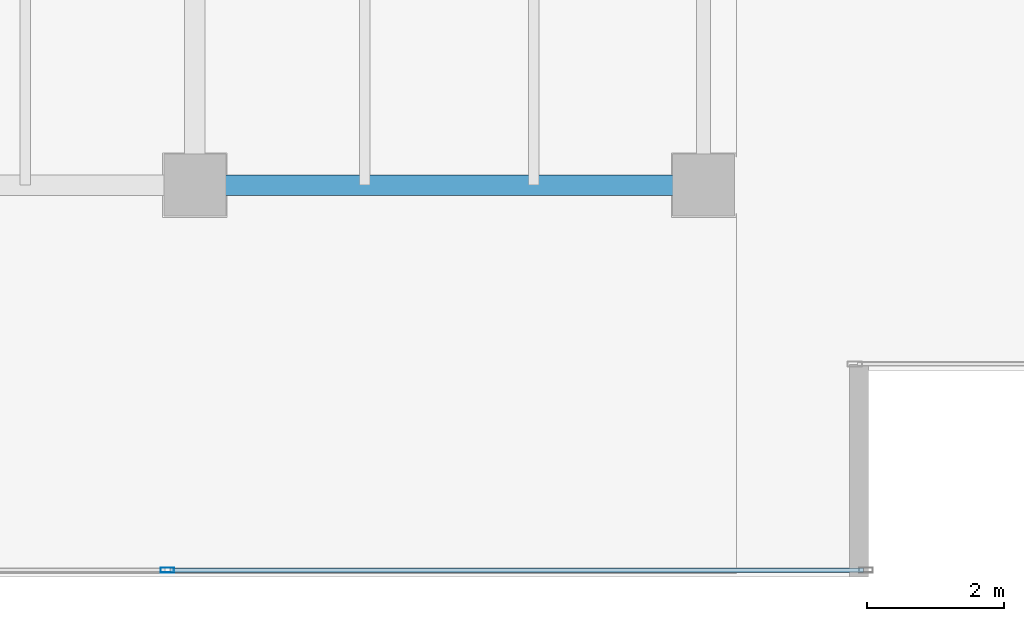
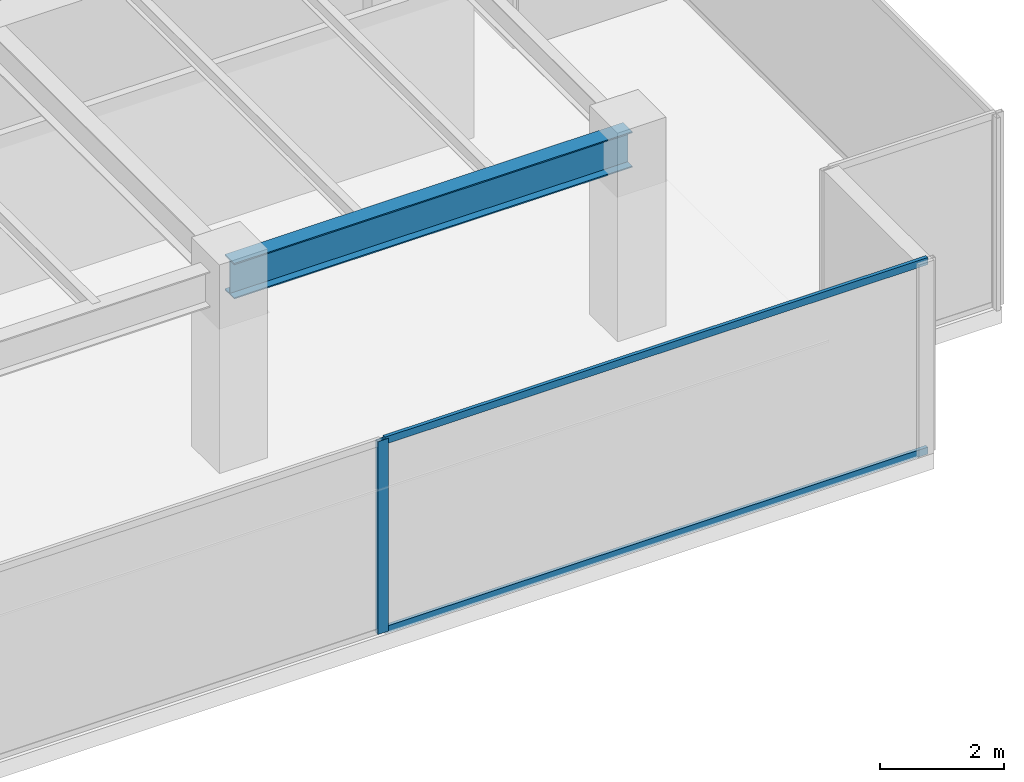
# One storey, part 12 of 33: 3 members, 1 beam, 1 element without a shape of its own.
"""IFC4 building model written with IfcOpenShell, lengths in metres."""

import ifcopenshell
import ifcopenshell.guid

model = None  # the IFC model being written
_history = None  # IfcOwnerHistory: only IFC2X3 demands one
_inside = {}  # id of a spatial element -> (the spatial element, [elements in it])
_under = {}  # id of a project, library or spatial element -> (it, [spatial elements below it])
_declared = {}  # id of a project -> (the project, [libraries it declares])
_typed = {}  # id of a type object -> (the type object, [elements of that type])
_made_of = {}  # id of a material, layer set ... -> (it, [elements and type objects made of it])


def new_model(schema):
    """Start an empty IFC model of exactly this schema.

    Asked for "IFC4X3", IfcOpenShell would pick the latest addendum, in which some entities
    have other attributes; the version numbers below select the first issue.
    IFC2X3 requires an IfcOwnerHistory on every rooted entity: one is made here for all.
    """
    global model, _history
    if schema == "IFC4X3":
        model = ifcopenshell.file(schema_version=(4, 3, 0, 0))
    else:
        model = ifcopenshell.file(schema=schema)
    _inside.clear()
    _under.clear()
    _declared.clear()
    _typed.clear()
    _made_of.clear()
    _history = None
    if model.schema == "IFC2X3":
        org = make("IfcOrganization", Name="unknown")
        user = make(
            "IfcPersonAndOrganization",
            ThePerson=make("IfcPerson", FamilyName="unknown"),
            TheOrganization=org,
        )
        app = make(
            "IfcApplication",
            ApplicationDeveloper=org,
            Version="unknown",
            ApplicationFullName="unknown",
            ApplicationIdentifier="unknown",
        )
        _history = make(
            "IfcOwnerHistory",
            OwningUser=user,
            OwningApplication=app,
            ChangeAction="ADDED",
            CreationDate=0,
        )
    return model


def make(cls, **values):
    """One entity of the class cls with the attributes given. An attribute that is None is left unset."""
    return model.create_entity(
        cls, **{name: value for name, value in values.items() if value is not None}
    )


def rooted(cls, **values):
    """An entity with a GlobalId (a new one), such as an element, a storey or a relation."""
    return make(cls, GlobalId=ifcopenshell.guid.new(), OwnerHistory=_history, **values)


def si_unit(unit_type, name, prefix=None):
    """IfcSIUnit, for example si_unit("LENGTHUNIT", "METRE", prefix="MILLI")."""
    return make("IfcSIUnit", UnitType=unit_type, Prefix=prefix, Name=name)


def assignment(units):
    """IfcUnitAssignment: the units of a project."""
    return None if units is None else make("IfcUnitAssignment", Units=units)


def point(xyz):
    """IfcCartesianPoint."""
    return None if xyz is None else make("IfcCartesianPoint", Coordinates=xyz)


def direction(xyz):
    """IfcDirection."""
    return None if xyz is None else make("IfcDirection", DirectionRatios=xyz)


def frame(location, z_axis=None, x_axis=None):
    """IfcAxis2Placement3D, a coordinate frame: its origin and axes. An axis left out is left unset."""
    return make(
        "IfcAxis2Placement3D",
        Location=point(location),
        Axis=direction(z_axis),
        RefDirection=direction(x_axis),
    )


def frame_2d(location, x_axis=None):
    """IfcAxis2Placement2D, a coordinate frame in the plane: its origin and x axis."""
    return make(
        "IfcAxis2Placement2D", Location=point(location), RefDirection=direction(x_axis)
    )


def origin():
    """The frame at (0, 0, 0) with its axes left unset."""
    return frame((0.0, 0.0, 0.0))


def origin_2d():
    """The frame at (0, 0) in the plane with its x axis left unset."""
    return frame_2d((0.0, 0.0))


def place(relative_to, where):
    """IfcLocalPlacement: puts the frame where relative to a parent placement (None: the world)."""
    return make(
        "IfcLocalPlacement", PlacementRelTo=relative_to, RelativePlacement=where
    )


def context(
    kind, dimensions, precision=None, world=None, true_north=None, identifier=None
):
    """IfcGeometricRepresentationContext, for example the 3D "Model" context."""
    return make(
        "IfcGeometricRepresentationContext",
        ContextIdentifier=identifier,
        ContextType=kind,
        CoordinateSpaceDimension=dimensions,
        Precision=precision,
        WorldCoordinateSystem=world,
        TrueNorth=true_north,
    )


def subcontext(parent, identifier, kind, view, scale=None):
    """IfcGeometricRepresentationSubContext, for example "Body" below "Model"."""
    return make(
        "IfcGeometricRepresentationSubContext",
        ContextIdentifier=identifier,
        ContextType=kind,
        ParentContext=parent,
        TargetScale=scale,
        TargetView=view,
    )


def project(units=None, contexts=None):
    """IfcProject with its units and contexts."""
    return rooted(
        "IfcProject",
        Name="project",
        RepresentationContexts=contexts,
        UnitsInContext=assignment(units),
    )


def spatial(cls, under=None, at=None, **own):
    """A site, building, storey or space (cls), placed at a placement, below another one or the project."""
    s = rooted(cls, ObjectPlacement=at, **own)
    if under is not None:
        _under.setdefault(under.id(), (under, []))[1].append(s)
    return s


def profile(cls, at=None, kind="AREA", **sizes):
    """A parametric profile (cls). Its sizes go by their IFC names, for example OverallWidth=200.0."""
    return make(cls, ProfileType=kind, Position=at, **sizes)


def hollow_rectangle(**sizes):
    """IfcRectangleHollowProfileDef."""
    return profile("IfcRectangleHollowProfileDef", **sizes)


def i_section(**sizes):
    """IfcIShapeProfileDef."""
    return profile("IfcIShapeProfileDef", **sizes)


def extrude(swept, where, along, depth):
    """IfcExtrudedAreaSolid: the profile swept, set in the frame where, extruded along a direction by depth."""
    return make(
        "IfcExtrudedAreaSolid",
        SweptArea=swept,
        Position=where,
        ExtrudedDirection=direction(along),
        Depth=depth,
    )


def shape(context_of_items, identifier, shape_type, items):
    """IfcShapeRepresentation: the items that make up one representation, for example the "Body"."""
    return make(
        "IfcShapeRepresentation",
        ContextOfItems=context_of_items,
        RepresentationIdentifier=identifier,
        RepresentationType=shape_type,
        Items=items,
    )


def source(mapping_origin, context_of_items, identifier, shape_type, items):
    """IfcRepresentationMap: a shape defined once, which mapped items show again and again."""
    return make(
        "IfcRepresentationMap",
        MappingOrigin=mapping_origin,
        MappedRepresentation=shape(context_of_items, identifier, shape_type, items),
    )


def transform(
    local_origin,
    x_axis=None,
    y_axis=None,
    z_axis=None,
    scale=None,
    scale2=None,
    scale3=None,
    uniform=True,
):
    """IfcCartesianTransformationOperator3D, or its non-uniform kind. x_axis, y_axis, z_axis: its Axis1, 2, 3."""
    if uniform:
        return make(
            "IfcCartesianTransformationOperator3D",
            Axis1=direction(x_axis),
            Axis2=direction(y_axis),
            LocalOrigin=point(local_origin),
            Scale=scale,
            Axis3=direction(z_axis),
        )
    return make(
        "IfcCartesianTransformationOperator3DnonUniform",
        Axis1=direction(x_axis),
        Axis2=direction(y_axis),
        LocalOrigin=point(local_origin),
        Scale=scale,
        Axis3=direction(z_axis),
        Scale2=scale2,
        Scale3=scale3,
    )


def mapped(mapping_source, mapping_target):
    """IfcMappedItem: shows the shape of a source again, moved by a transform."""
    return make(
        "IfcMappedItem", MappingSource=mapping_source, MappingTarget=mapping_target
    )


def material(Name=None, Category=None):
    """IfcMaterial."""
    return make("IfcMaterial", Name=Name, Category=Category)


def layer(
    of_material, thickness, ventilated=None, Name=None, Category=None, Priority=None
):
    """IfcMaterialLayer: one layer of a wall or slab, of a material (None: an air gap)."""
    return make(
        "IfcMaterialLayer",
        Material=of_material,
        LayerThickness=thickness,
        IsVentilated=ventilated,
        Name=Name,
        Category=Category,
        Priority=Priority,
    )


def layer_set(layers, Name=None):
    """IfcMaterialLayerSet."""
    return make("IfcMaterialLayerSet", MaterialLayers=layers, LayerSetName=Name)


def material_profile(
    of_material, cross_section, Name=None, Category=None, Priority=None
):
    """IfcMaterialProfile: a cross section and its material."""
    return make(
        "IfcMaterialProfile",
        Name=Name,
        Material=of_material,
        Profile=cross_section,
        Priority=Priority,
        Category=Category,
    )


def profile_set(profiles, Name=None, composite=None):
    """IfcMaterialProfileSet."""
    return make(
        "IfcMaterialProfileSet",
        Name=Name,
        MaterialProfiles=profiles,
        CompositeProfile=composite,
    )


def made_of(thing, what):
    """Note that an element or type object is made of a material, layer set ...; save() writes the relation."""
    if what is not None:
        _made_of.setdefault(what.id(), (what, []))[1].append(thing)
    return thing


def type_object(cls, material=None, **own):
    """A type object (cls), such as IfcWallType, which elements share."""
    return made_of(rooted(cls, **own), material)


def type_shapes(of_type, sources):
    """Give a type object the sources (RepresentationMaps) that its elements show as mapped items."""
    of_type.RepresentationMaps = sources


def element(
    cls,
    number,
    at=None,
    inside=None,
    cuts=None,
    type_object=None,
    material=None,
    context=None,
    identifier="Body",
    shape_type=None,
    held_by="IfcProductDefinitionShape",
    body=None,
    shapes=None,
    **own,
):
    """One element of the class cls, such as IfcWall. Its Tag is "e" and its number.

    at: its placement. inside: the storey or other place that contains it. cuts: it is an
    opening in that element (IfcRelVoidsElement). A single representation is given by context,
    identifier, shape_type and body (its items); several are given by shapes. held_by: the class
    of the entity that holds the representations. save() writes the other relations.
    """
    e = rooted(cls, Tag="e%d" % number, ObjectPlacement=at, **own)
    if body is not None:
        shapes = [shape(context, identifier, shape_type, body)]
    if shapes is not None:
        e.Representation = make(held_by, Representations=shapes)
    if inside is not None:
        _inside.setdefault(inside.id(), (inside, []))[1].append(e)
    if cuts is not None:
        rooted(
            "IfcRelVoidsElement", RelatingBuildingElement=cuts, RelatedOpeningElement=e
        )
    if type_object is not None:
        _typed.setdefault(type_object.id(), (type_object, []))[1].append(e)
    return made_of(e, material)


def aggregate(whole, parts):
    """IfcRelAggregates: a whole, such as a stair, and the parts it consists of."""
    return rooted("IfcRelAggregates", RelatingObject=whole, RelatedObjects=parts)


def save(model, path):
    """Write the relations noted so far, then the file.

    IfcRelAggregates (storeys below a building ...), IfcRelContainedInSpatialStructure (elements
    in a storey), IfcRelDefinesByType, IfcRelAssociatesMaterial and IfcRelDeclares: one each for
    every whole, place, type object, material and project.
    """
    for whole, parts in _under.values():
        aggregate(whole, parts)
    for where, things in _inside.values():
        rooted(
            "IfcRelContainedInSpatialStructure",
            RelatedElements=things,
            RelatingStructure=where,
        )
    for kind, things in _typed.values():
        rooted("IfcRelDefinesByType", RelatedObjects=things, RelatingType=kind)
    for what, things in _made_of.values():
        rooted("IfcRelAssociatesMaterial", RelatedObjects=things, RelatingMaterial=what)
    for by, libraries in _declared.values():
        rooted("IfcRelDeclares", RelatingContext=by, RelatedDefinitions=libraries)
    model.write(path)


model = new_model("IFC4")

# Units and contexts
model_context = context("Model", 3, precision=1e-05, world=origin(), true_north=direction((0.0, 1.0)))
body_context = subcontext(model_context, "Body", "Model", "MODEL_VIEW")
ifc_project = project(units=[si_unit("LENGTHUNIT", "METRE"), si_unit("AREAUNIT", "SQUARE_METRE"), si_unit("VOLUMEUNIT", "CUBIC_METRE"), si_unit("PLANEANGLEUNIT", "RADIAN"), si_unit("MASSUNIT", "GRAM", prefix="KILO")], contexts=[model_context])

# Site, building, storey
site_placement = place(None, origin())
site = spatial("IfcSite", under=ifc_project, at=site_placement, CompositionType="ELEMENT")
building_placement = place(site_placement, origin())
building = spatial("IfcBuilding", under=site, at=building_placement, Name="Haelvirn Gate Laboratories", CompositionType="ELEMENT")
storey_placement = place(building_placement, frame((0.0, 0.0, 133.800048828125)))
storey = spatial("IfcBuildingStorey", under=building, at=storey_placement, Name="L32", CompositionType="ELEMENT", Elevation=133.800048828125)

# Beam
ifc_material_1 = material(Name="Steel SM355", Category="steel")
ifc_material_profile_1 = material_profile(ifc_material_1, i_section(OverallWidth=0.300048828125, OverallDepth=0.699951171875, WebThickness=0.012939453125, FlangeThickness=0.02392578125, at=origin_2d()), Name="H-700x300x13x24")
ifc_profile_set_1 = profile_set([ifc_material_profile_1], Name="Steel SM355")
beam_type = type_object("IfcBeamType", Name="BM-G-700", PredefinedType="BEAM", material=ifc_profile_set_1)
shared_shape_1 = source(origin(), body_context, "Body", "SweptSolid", [
    extrude(i_section(OverallWidth=0.300048828125, OverallDepth=0.699951171875, WebThickness=0.012939453125, FlangeThickness=0.02392578125, at=origin_2d()), origin(), (0.0, 0.0, 1.0), 7.39990234375),
])
type_shapes(beam_type, [shared_shape_1])
beam_placement = place(storey_placement, frame((60.0, 7.0, 3.43994140625), z_axis=(1.0, 0.0, 0.0), x_axis=(0.0, 1.0, 0.0)))
element("IfcBeam", 1, at=beam_placement, inside=storey, type_object=beam_type, Name="L32 Primary Girder Y7.0 (60.0-67.4)", PredefinedType="BEAM", context=body_context, shape_type="MappedRepresentation", body=[
    mapped(shared_shape_1, transform((0.0, 0.0, 0.0), scale=1.0)),
])

# Curtain wall, members
ifc_material_2 = material(Name="Anodised bronze unitised aluminium & triple low-E glass", Category="aluminium")
ifc_layer = layer(ifc_material_2, 0.179931640625, Name="CW-SYS-3")
ifc_layer_set = layer_set([ifc_layer], Name="Anodised bronze unitised aluminium & triple low-E glass")
curtain_wall_type = type_object("IfcCurtainWallType", Name="CW-SYS-3", PredefinedType="NOTDEFINED", material=ifc_layer_set)
curtain_wall_placement = place(storey_placement, origin())
curtain_wall = element("IfcCurtainWall", 2, at=curtain_wall_placement, inside=storey, type_object=curtain_wall_type, Name="L32 Unitised Curtain Wall CW-L32-P0-E04-1", PredefinedType="NOTDEFINED")
ifc_material_3 = material(Name="Extruded aluminium 6063-T6 (anodised bronze)", Category="aluminium")
ifc_material_profile_2 = material_profile(ifc_material_3, hollow_rectangle(XDim=0.06494140625, YDim=0.139892578125, WallThickness=0.00390625, at=origin_2d()), Name="CWT-140x65x4")
ifc_profile_set_2 = profile_set([ifc_material_profile_2], Name="Extruded aluminium 6063-T6 (anodised bronze)")
member_type_1 = type_object("IfcMemberType", Name="CWT-T140", PredefinedType="USERDEFINED", material=ifc_profile_set_2)
shared_shape_2 = source(origin(), body_context, "Body", "SweptSolid", [
    extrude(hollow_rectangle(XDim=0.06494140625, YDim=0.139892578125, WallThickness=0.00390625, at=origin_2d()), origin(), (0.0, 0.0, 1.0), 10.087646484375),
])
type_shapes(member_type_1, [shared_shape_2])
member_1_placement = place(storey_placement, frame((59.637451171875, 1.39990234375, 0.032470703125), z_axis=(1.0, 0.0, 0.0), x_axis=(0.0, 1.0, 0.0)))
member_1 = element("IfcMember", 3, at=member_1_placement, type_object=member_type_1, Name="CW3 transom 2.1", ObjectType="TRANSOM", PredefinedType="USERDEFINED", context=body_context, shape_type="MappedRepresentation", body=[
    mapped(shared_shape_2, transform((0.0, 0.0, 0.0), scale=1.0)),
])
member_2_placement = place(storey_placement, frame((59.637451171875, 1.39990234375, 3.757568359375), z_axis=(1.0, 0.0, 0.0), x_axis=(0.0, 1.0, 0.0)))
member_2 = element("IfcMember", 4, at=member_2_placement, type_object=member_type_1, Name="CW3 transom 2.2", ObjectType="TRANSOM", PredefinedType="USERDEFINED", context=body_context, shape_type="MappedRepresentation", body=[
    mapped(shared_shape_2, transform((0.0, 0.0, 0.0), scale=1.0)),
])
ifc_material_profile_3 = material_profile(ifc_material_3, hollow_rectangle(XDim=0.074951171875, YDim=0.199951171875, WallThickness=0.0048828125, at=origin_2d()), Name="CWM-200x75x5")
ifc_profile_set_3 = profile_set([ifc_material_profile_3], Name="Extruded aluminium 6063-T6 (anodised bronze)")
member_type_2 = type_object("IfcMemberType", Name="CWM-T200", PredefinedType="MULLION", material=ifc_profile_set_3)
shared_shape_3 = source(origin(), body_context, "Body", "SweptSolid", [
    extrude(hollow_rectangle(XDim=0.074951171875, YDim=0.199951171875, WallThickness=0.0048828125, at=origin_2d()), origin(), (0.0, 0.0, 1.0), 3.7900390625),
])
type_shapes(member_type_2, [shared_shape_3])
member_3_placement = place(storey_placement, frame((59.60009765625, 1.39990234375, 0.0), z_axis=(0.0, 0.0, 1.0), x_axis=(0.0, 1.0, 0.0)))
member_3 = element("IfcMember", 5, at=member_3_placement, type_object=member_type_2, Name="CW3 mullion 2", PredefinedType="MULLION", context=body_context, shape_type="MappedRepresentation", body=[
    mapped(shared_shape_3, transform((0.0, 0.0, 0.0), scale=1.0)),
])
aggregate(curtain_wall, [member_3, member_1, member_2])

save(model, "model.ifc")
